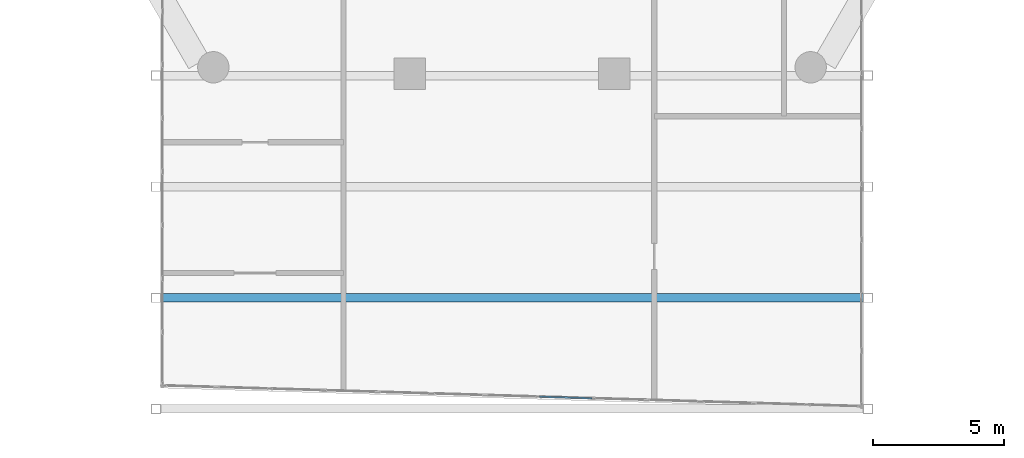
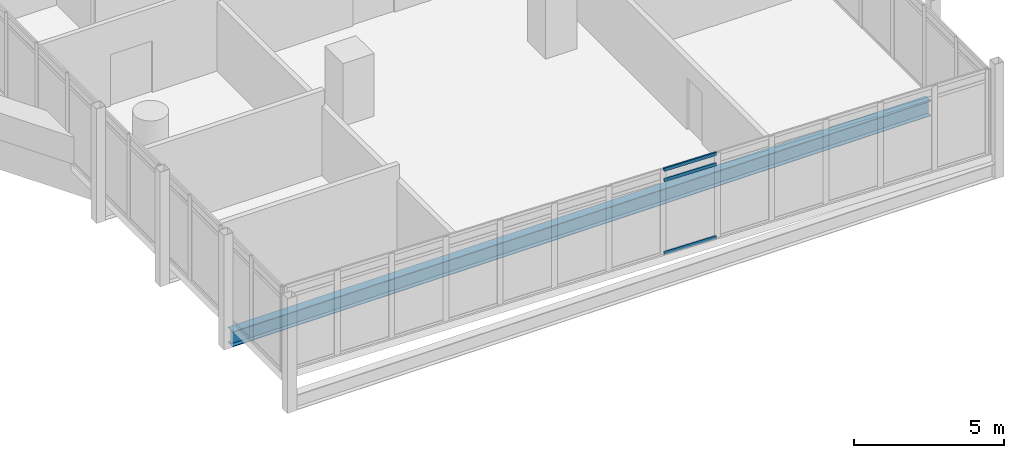
# One storey, part 6 of 28: 3 members, 1 beam, 1 element without a shape of its own.
"""IFC4 building model written with IfcOpenShell, lengths in metres."""

from ifc_helpers import new_model, si_unit, direction, frame, origin, origin_2d, place, context, subcontext, project, spatial, hollow_rectangle, i_section, extrude, material, material_profile, profile_set, type_object, element, aggregate, save


model = new_model("IFC4")

# Units and contexts
model_context = context("Model", 3, precision=1e-05, world=origin(), true_north=direction((0.0, 1.0)))
body_context = subcontext(model_context, "Body", "Model", "MODEL_VIEW")
ifc_project = project(units=[si_unit("LENGTHUNIT", "METRE"), si_unit("AREAUNIT", "SQUARE_METRE"), si_unit("VOLUMEUNIT", "CUBIC_METRE"), si_unit("PLANEANGLEUNIT", "RADIAN"), si_unit("MASSUNIT", "GRAM", prefix="KILO")], contexts=[model_context])

# Site, building, storey
site_placement = place(None, origin())
site = spatial("IfcSite", under=ifc_project, at=site_placement, CompositionType="ELEMENT")
building_placement = place(site_placement, origin())
building = spatial("IfcBuilding", under=site, at=building_placement, Name="Ostrander Bayou Hotel Tower", CompositionType="ELEMENT")
storey_placement = place(building_placement, frame((0.0, 0.0, 104.25)))
storey = spatial("IfcBuildingStorey", under=building, at=storey_placement, Name="L26", CompositionType="ELEMENT", Elevation=104.25)

# Curtain wall, members
ifc_material_1 = material(Name="Aluminium and clear glass", Category="aluminium")
curtain_wall_type = type_object("IfcCurtainWallType", Name="CW-BAR glazed wall", PredefinedType="NOTDEFINED", material=ifc_material_1)
curtain_wall_placement = place(storey_placement, origin())
curtain_wall = element("IfcCurtainWall", 1, at=curtain_wall_placement, inside=storey, type_object=curtain_wall_type, Name="CW-BAR L26:SB2S:T", PredefinedType="NOTDEFINED")
ifc_material_2 = material(Name="Aluminium", Category="aluminium")
ifc_material_profile_1 = material_profile(ifc_material_2, hollow_rectangle(XDim=0.06005859375, YDim=0.1298828125, WallThickness=0.00390625, at=origin_2d()))
ifc_profile_set_1 = profile_set([ifc_material_profile_1], Name="Aluminium")
member_type = type_object("IfcMemberType", Name="CW-BR transom 60 x 130 mm", PredefinedType="USERDEFINED", material=ifc_profile_set_1)
member_1_placement = place(storey_placement, frame((1.058349609375, -31.7314453125, 0.030029296875), z_axis=(0.999555090424, -0.029826518535, 0.0), x_axis=(0.029826518535, 0.999555090424, 0.0)))
member_1 = element("IfcMember", 2, at=member_1_placement, type_object=member_type, Name="CW-BAR transom 8.1", ObjectType="TRANSOM", PredefinedType="USERDEFINED", context=body_context, shape_type="SweptSolid", body=[
    extrude(hollow_rectangle(XDim=0.06005859375, YDim=0.1298828125, WallThickness=0.00390625, at=origin_2d()), origin(), (0.0, 0.0, 1.0), 1.997314453125),
])
member_2_placement = place(storey_placement, frame((1.058349609375, -31.7314453125, 3.0), z_axis=(0.999555090424, -0.029826518535, 0.0), x_axis=(0.029826518535, 0.999555090424, 0.0)))
member_2 = element("IfcMember", 3, at=member_2_placement, type_object=member_type, Name="CW-BAR transom 8.2", ObjectType="TRANSOM", PredefinedType="USERDEFINED", context=body_context, shape_type="SweptSolid", body=[
    extrude(hollow_rectangle(XDim=0.06005859375, YDim=0.1298828125, WallThickness=0.00390625, at=origin_2d()), origin(), (0.0, 0.0, 1.0), 1.997314453125),
])
member_3_placement = place(storey_placement, frame((1.058349609375, -31.7314453125, 3.419921875), z_axis=(0.999555090424, -0.029826518535, 0.0), x_axis=(0.029826518535, 0.999555090424, 0.0)))
member_3 = element("IfcMember", 4, at=member_3_placement, type_object=member_type, Name="CW-BAR transom 8.3", ObjectType="TRANSOM", PredefinedType="USERDEFINED", context=body_context, shape_type="SweptSolid", body=[
    extrude(hollow_rectangle(XDim=0.06005859375, YDim=0.1298828125, WallThickness=0.00390625, at=origin_2d()), origin(), (0.0, 0.0, 1.0), 1.997314453125),
])
aggregate(curtain_wall, [member_1, member_2, member_3])

# Beam
ifc_material_3 = material(Name="Steel ASTM A992", Category="steel")
ifc_material_profile_2 = material_profile(ifc_material_3, i_section(OverallWidth=0.32763671875, OverallDepth=0.621826171875, WebThickness=0.015380859375, FlangeThickness=0.0244140625, at=origin_2d()))
ifc_profile_set_2 = profile_set([ifc_material_profile_2], Name="Steel ASTM A992")
beam_type = type_object("IfcBeamType", Name="TF1 bar floor beam W24x131", PredefinedType="BEAM", material=ifc_profile_set_2)
beam_placement = place(storey_placement, frame((-13.442138671875, -27.9501953125, -0.61083984375), z_axis=(1.0, 0.0, 0.0), x_axis=(0.0, 1.0, 0.0)))
element("IfcBeam", 5, at=beam_placement, inside=storey, type_object=beam_type, Name="TF1 SB2S L4-3", PredefinedType="BEAM", context=body_context, shape_type="SweptSolid", body=[
    extrude(i_section(OverallWidth=0.32763671875, OverallDepth=0.621826171875, WebThickness=0.015380859375, FlangeThickness=0.0244140625, at=origin_2d()), origin(), (0.0, 0.0, 1.0), 26.88427734375),
])

save(model, "model.ifc")
